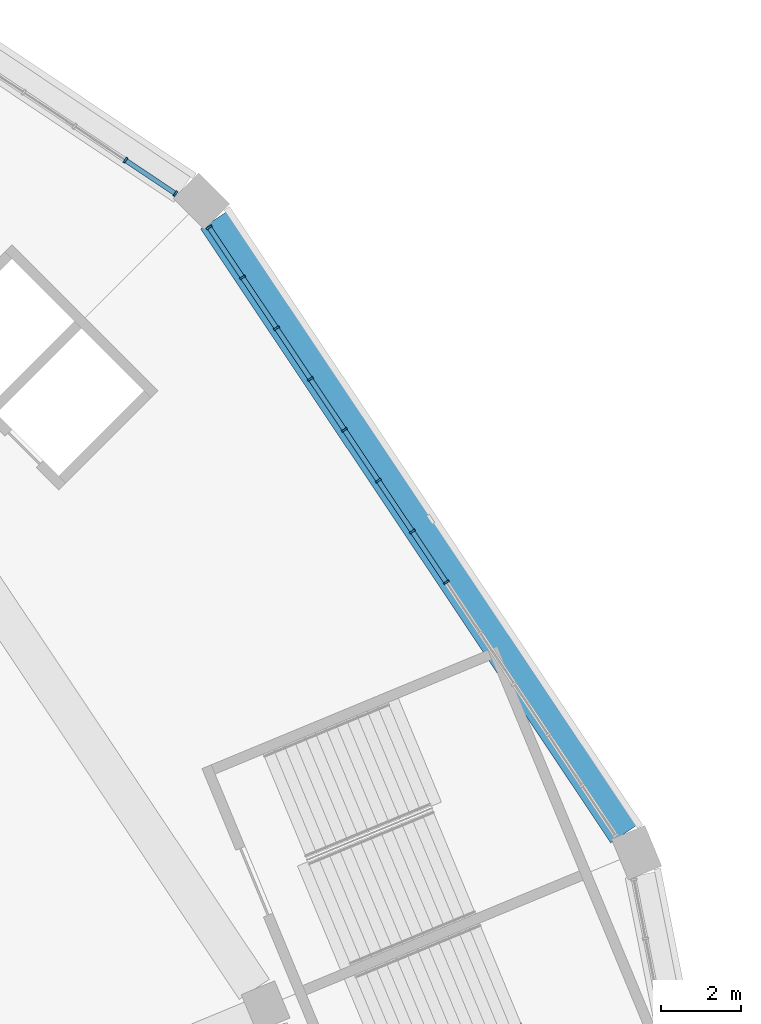
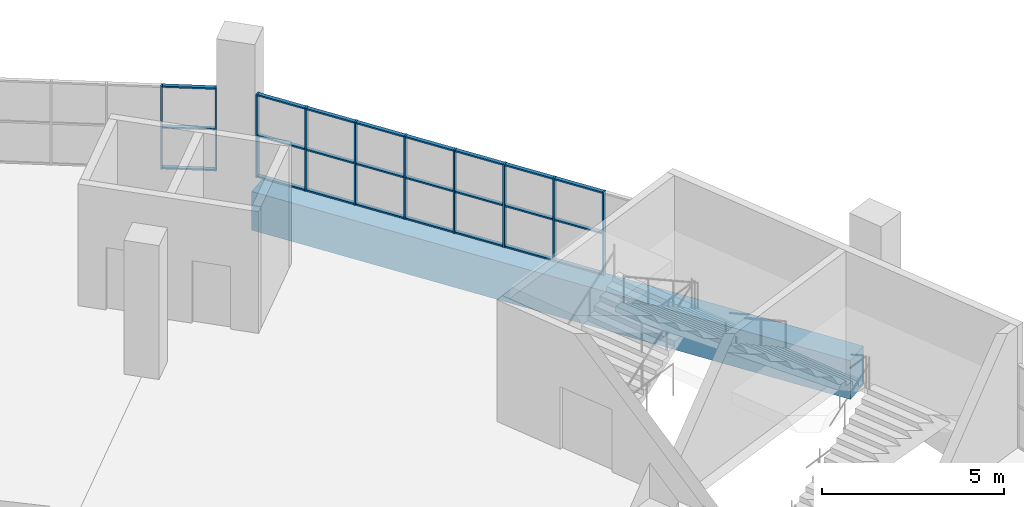
# One storey, part 51 of 199: 34 members, 1 beam, 2 elements without a shape of their own.
"""IFC4 building model written with IfcOpenShell, lengths in metres."""

import ifcopenshell
import ifcopenshell.guid

model = None  # the IFC model being written
_history = None  # IfcOwnerHistory: only IFC2X3 demands one
_inside = {}  # id of a spatial element -> (the spatial element, [elements in it])
_under = {}  # id of a project, library or spatial element -> (it, [spatial elements below it])
_declared = {}  # id of a project -> (the project, [libraries it declares])
_typed = {}  # id of a type object -> (the type object, [elements of that type])
_made_of = {}  # id of a material, layer set ... -> (it, [elements and type objects made of it])


def new_model(schema):
    """Start an empty IFC model of exactly this schema.

    Asked for "IFC4X3", IfcOpenShell would pick the latest addendum, in which some entities
    have other attributes; the version numbers below select the first issue.
    IFC2X3 requires an IfcOwnerHistory on every rooted entity: one is made here for all.
    """
    global model, _history
    if schema == "IFC4X3":
        model = ifcopenshell.file(schema_version=(4, 3, 0, 0))
    else:
        model = ifcopenshell.file(schema=schema)
    _inside.clear()
    _under.clear()
    _declared.clear()
    _typed.clear()
    _made_of.clear()
    _history = None
    if model.schema == "IFC2X3":
        org = make("IfcOrganization", Name="unknown")
        user = make(
            "IfcPersonAndOrganization",
            ThePerson=make("IfcPerson", FamilyName="unknown"),
            TheOrganization=org,
        )
        app = make(
            "IfcApplication",
            ApplicationDeveloper=org,
            Version="unknown",
            ApplicationFullName="unknown",
            ApplicationIdentifier="unknown",
        )
        _history = make(
            "IfcOwnerHistory",
            OwningUser=user,
            OwningApplication=app,
            ChangeAction="ADDED",
            CreationDate=0,
        )
    return model


def make(cls, **values):
    """One entity of the class cls with the attributes given. An attribute that is None is left unset."""
    return model.create_entity(
        cls, **{name: value for name, value in values.items() if value is not None}
    )


def rooted(cls, **values):
    """An entity with a GlobalId (a new one), such as an element, a storey or a relation."""
    return make(cls, GlobalId=ifcopenshell.guid.new(), OwnerHistory=_history, **values)


def si_unit(unit_type, name, prefix=None):
    """IfcSIUnit, for example si_unit("LENGTHUNIT", "METRE", prefix="MILLI")."""
    return make("IfcSIUnit", UnitType=unit_type, Prefix=prefix, Name=name)


def assignment(units):
    """IfcUnitAssignment: the units of a project."""
    return None if units is None else make("IfcUnitAssignment", Units=units)


def point(xyz):
    """IfcCartesianPoint."""
    return None if xyz is None else make("IfcCartesianPoint", Coordinates=xyz)


def direction(xyz):
    """IfcDirection."""
    return None if xyz is None else make("IfcDirection", DirectionRatios=xyz)


def frame(location, z_axis=None, x_axis=None):
    """IfcAxis2Placement3D, a coordinate frame: its origin and axes. An axis left out is left unset."""
    return make(
        "IfcAxis2Placement3D",
        Location=point(location),
        Axis=direction(z_axis),
        RefDirection=direction(x_axis),
    )


def frame_2d(location, x_axis=None):
    """IfcAxis2Placement2D, a coordinate frame in the plane: its origin and x axis."""
    return make(
        "IfcAxis2Placement2D", Location=point(location), RefDirection=direction(x_axis)
    )


def origin():
    """The frame at (0, 0, 0) with its axes left unset."""
    return frame((0.0, 0.0, 0.0))


def origin_2d():
    """The frame at (0, 0) in the plane with its x axis left unset."""
    return frame_2d((0.0, 0.0))


def place(relative_to, where):
    """IfcLocalPlacement: puts the frame where relative to a parent placement (None: the world)."""
    return make(
        "IfcLocalPlacement", PlacementRelTo=relative_to, RelativePlacement=where
    )


def context(
    kind, dimensions, precision=None, world=None, true_north=None, identifier=None
):
    """IfcGeometricRepresentationContext, for example the 3D "Model" context."""
    return make(
        "IfcGeometricRepresentationContext",
        ContextIdentifier=identifier,
        ContextType=kind,
        CoordinateSpaceDimension=dimensions,
        Precision=precision,
        WorldCoordinateSystem=world,
        TrueNorth=true_north,
    )


def subcontext(parent, identifier, kind, view, scale=None):
    """IfcGeometricRepresentationSubContext, for example "Body" below "Model"."""
    return make(
        "IfcGeometricRepresentationSubContext",
        ContextIdentifier=identifier,
        ContextType=kind,
        ParentContext=parent,
        TargetScale=scale,
        TargetView=view,
    )


def project(units=None, contexts=None):
    """IfcProject with its units and contexts."""
    return rooted(
        "IfcProject",
        Name="project",
        RepresentationContexts=contexts,
        UnitsInContext=assignment(units),
    )


def spatial(cls, under=None, at=None, **own):
    """A site, building, storey or space (cls), placed at a placement, below another one or the project."""
    s = rooted(cls, ObjectPlacement=at, **own)
    if under is not None:
        _under.setdefault(under.id(), (under, []))[1].append(s)
    return s


def profile(cls, at=None, kind="AREA", **sizes):
    """A parametric profile (cls). Its sizes go by their IFC names, for example OverallWidth=200.0."""
    return make(cls, ProfileType=kind, Position=at, **sizes)


def rectangle(**sizes):
    """IfcRectangleProfileDef."""
    return profile("IfcRectangleProfileDef", **sizes)


def extrude(swept, where, along, depth):
    """IfcExtrudedAreaSolid: the profile swept, set in the frame where, extruded along a direction by depth."""
    return make(
        "IfcExtrudedAreaSolid",
        SweptArea=swept,
        Position=where,
        ExtrudedDirection=direction(along),
        Depth=depth,
    )


def shape(context_of_items, identifier, shape_type, items):
    """IfcShapeRepresentation: the items that make up one representation, for example the "Body"."""
    return make(
        "IfcShapeRepresentation",
        ContextOfItems=context_of_items,
        RepresentationIdentifier=identifier,
        RepresentationType=shape_type,
        Items=items,
    )


def material(Name=None, Category=None):
    """IfcMaterial."""
    return make("IfcMaterial", Name=Name, Category=Category)


def material_profile(
    of_material, cross_section, Name=None, Category=None, Priority=None
):
    """IfcMaterialProfile: a cross section and its material."""
    return make(
        "IfcMaterialProfile",
        Name=Name,
        Material=of_material,
        Profile=cross_section,
        Priority=Priority,
        Category=Category,
    )


def profile_set(profiles, Name=None, composite=None):
    """IfcMaterialProfileSet."""
    return make(
        "IfcMaterialProfileSet",
        Name=Name,
        MaterialProfiles=profiles,
        CompositeProfile=composite,
    )


def made_of(thing, what):
    """Note that an element or type object is made of a material, layer set ...; save() writes the relation."""
    if what is not None:
        _made_of.setdefault(what.id(), (what, []))[1].append(thing)
    return thing


def type_object(cls, material=None, **own):
    """A type object (cls), such as IfcWallType, which elements share."""
    return made_of(rooted(cls, **own), material)


def element(
    cls,
    number,
    at=None,
    inside=None,
    cuts=None,
    type_object=None,
    material=None,
    context=None,
    identifier="Body",
    shape_type=None,
    held_by="IfcProductDefinitionShape",
    body=None,
    shapes=None,
    **own,
):
    """One element of the class cls, such as IfcWall. Its Tag is "e" and its number.

    at: its placement. inside: the storey or other place that contains it. cuts: it is an
    opening in that element (IfcRelVoidsElement). A single representation is given by context,
    identifier, shape_type and body (its items); several are given by shapes. held_by: the class
    of the entity that holds the representations. save() writes the other relations.
    """
    e = rooted(cls, Tag="e%d" % number, ObjectPlacement=at, **own)
    if body is not None:
        shapes = [shape(context, identifier, shape_type, body)]
    if shapes is not None:
        e.Representation = make(held_by, Representations=shapes)
    if inside is not None:
        _inside.setdefault(inside.id(), (inside, []))[1].append(e)
    if cuts is not None:
        rooted(
            "IfcRelVoidsElement", RelatingBuildingElement=cuts, RelatedOpeningElement=e
        )
    if type_object is not None:
        _typed.setdefault(type_object.id(), (type_object, []))[1].append(e)
    return made_of(e, material)


def aggregate(whole, parts):
    """IfcRelAggregates: a whole, such as a stair, and the parts it consists of."""
    return rooted("IfcRelAggregates", RelatingObject=whole, RelatedObjects=parts)


def save(model, path):
    """Write the relations noted so far, then the file.

    IfcRelAggregates (storeys below a building ...), IfcRelContainedInSpatialStructure (elements
    in a storey), IfcRelDefinesByType, IfcRelAssociatesMaterial and IfcRelDeclares: one each for
    every whole, place, type object, material and project.
    """
    for whole, parts in _under.values():
        aggregate(whole, parts)
    for where, things in _inside.values():
        rooted(
            "IfcRelContainedInSpatialStructure",
            RelatedElements=things,
            RelatingStructure=where,
        )
    for kind, things in _typed.values():
        rooted("IfcRelDefinesByType", RelatedObjects=things, RelatingType=kind)
    for what, things in _made_of.values():
        rooted("IfcRelAssociatesMaterial", RelatedObjects=things, RelatingMaterial=what)
    for by, libraries in _declared.values():
        rooted("IfcRelDeclares", RelatingContext=by, RelatedDefinitions=libraries)
    model.write(path)


model = new_model("IFC4")

# Units and contexts
model_context = context("Model", 3, precision=1e-05, world=origin(), true_north=direction((0.0, 1.0)))
body_context = subcontext(model_context, "Body", "Model", "MODEL_VIEW")
ifc_project = project(units=[si_unit("LENGTHUNIT", "METRE"), si_unit("AREAUNIT", "SQUARE_METRE"), si_unit("VOLUMEUNIT", "CUBIC_METRE"), si_unit("PLANEANGLEUNIT", "RADIAN"), si_unit("MASSUNIT", "GRAM", prefix="KILO")], contexts=[model_context])

# Site, building, storey
site_placement = place(None, origin())
site = spatial("IfcSite", under=ifc_project, at=site_placement, CompositionType="ELEMENT")
building_placement = place(site_placement, origin())
building = spatial("IfcBuilding", under=site, at=building_placement, Name="Ogive Plaza Stadium", CompositionType="ELEMENT")
storey_placement = place(building_placement, frame((0.0, 0.0, 9.0)))
storey = spatial("IfcBuildingStorey", under=building, at=storey_placement, Name="L02", CompositionType="ELEMENT", Elevation=9.0)

# Curtain wall, members
ifc_material_1 = material(Name="Bronze-anodised aluminium with laminated glass", Category="aluminium")
curtain_wall_type = type_object("IfcCurtainWallType", Name="Lancet curtain wall", PredefinedType="NOTDEFINED", material=ifc_material_1)
curtain_wall_1_placement = place(storey_placement, origin())
curtain_wall_1 = element("IfcCurtainWall", 1, at=curtain_wall_1_placement, inside=storey, type_object=curtain_wall_type, Name="CURTAIN WALL B38 L02", PredefinedType="NOTDEFINED")
ifc_material_2 = material(Name="Bronze-anodised aluminium", Category="aluminium")
ifc_material_profile_1 = material_profile(ifc_material_2, rectangle(XDim=0.14990234375, YDim=0.050048828125, at=origin_2d()), Name="AL 150x50")
ifc_profile_set_1 = profile_set([ifc_material_profile_1], Name="Bronze-anodised aluminium")
member_type_1 = type_object("IfcMemberType", Name="Curtain wall mullion 50x150", PredefinedType="MULLION", material=ifc_profile_set_1)
member_1_placement = place(storey_placement, frame((67.462646484375, 88.879638671875, 0.0), z_axis=(0.0, 0.0, 1.0), x_axis=(0.55557023302, 0.831469612303, 0.0)))
member_1 = element("IfcMember", 2, at=member_1_placement, type_object=member_type_1, Name="CW-B38-L02 mullion 12", PredefinedType="MULLION", context=body_context, shape_type="SweptSolid", body=[
    extrude(rectangle(XDim=0.14990234375, YDim=0.050048828125, at=origin_2d()), origin(), (0.0, 0.0, 1.0), 2.7900390625),
])
member_2_placement = place(storey_placement, frame((68.70751953125, 88.047607421875, 0.0), z_axis=(0.0, 0.0, 1.0), x_axis=(0.55557023302, 0.831469612303, 0.0)))
member_2 = element("IfcMember", 3, at=member_2_placement, type_object=member_type_1, Name="CW-B38-L02 mullion 13", PredefinedType="MULLION", context=body_context, shape_type="SweptSolid", body=[
    extrude(rectangle(XDim=0.14990234375, YDim=0.050048828125, at=origin_2d()), origin(), (0.0, 0.0, 1.0), 2.7900390625),
])

curtain_wall_2_placement = place(storey_placement, origin())
curtain_wall_2 = element("IfcCurtainWall", 4, at=curtain_wall_2_placement, inside=storey, type_object=curtain_wall_type, Name="CURTAIN WALL B39 L02", PredefinedType="NOTDEFINED")
member_3_placement = place(storey_placement, frame((69.547607421875, 87.20751953125, 0.0), z_axis=(0.0, 0.0, 1.0), x_axis=(0.831469612303, 0.55557023302, 0.0)))
member_3 = element("IfcMember", 5, at=member_3_placement, type_object=member_type_1, Name="CW-B39-L02 mullion 1", PredefinedType="MULLION", context=body_context, shape_type="SweptSolid", body=[
    extrude(rectangle(XDim=0.14990234375, YDim=0.050048828125, at=origin_2d()), origin(), (0.0, 0.0, 1.0), 2.7900390625),
])
member_4_placement = place(storey_placement, frame((70.379638671875, 85.962646484375, 0.0), z_axis=(0.0, 0.0, 1.0), x_axis=(0.831469612303, 0.55557023302, 0.0)))
member_4 = element("IfcMember", 6, at=member_4_placement, type_object=member_type_1, Name="CW-B39-L02 mullion 2", PredefinedType="MULLION", context=body_context, shape_type="SweptSolid", body=[
    extrude(rectangle(XDim=0.14990234375, YDim=0.050048828125, at=origin_2d()), origin(), (0.0, 0.0, 1.0), 2.7900390625),
])
member_5_placement = place(storey_placement, frame((71.225341796875, 84.69677734375, 0.0), z_axis=(0.0, 0.0, 1.0), x_axis=(0.831469612303, 0.55557023302, 0.0)))
member_5 = element("IfcMember", 7, at=member_5_placement, type_object=member_type_1, Name="CW-B39-L02 mullion 3", PredefinedType="MULLION", context=body_context, shape_type="SweptSolid", body=[
    extrude(rectangle(XDim=0.14990234375, YDim=0.050048828125, at=origin_2d()), origin(), (0.0, 0.0, 1.0), 2.7900390625),
])
member_6_placement = place(storey_placement, frame((72.071044921875, 83.430908203125, 0.0), z_axis=(0.0, 0.0, 1.0), x_axis=(0.831469612303, 0.55557023302, 0.0)))
member_6 = element("IfcMember", 8, at=member_6_placement, type_object=member_type_1, Name="CW-B39-L02 mullion 4", PredefinedType="MULLION", context=body_context, shape_type="SweptSolid", body=[
    extrude(rectangle(XDim=0.14990234375, YDim=0.050048828125, at=origin_2d()), origin(), (0.0, 0.0, 1.0), 2.7900390625),
])
member_7_placement = place(storey_placement, frame((72.916748046875, 82.165283203125, 0.0), z_axis=(0.0, 0.0, 1.0), x_axis=(0.831469612303, 0.55557023302, 0.0)))
member_7 = element("IfcMember", 9, at=member_7_placement, type_object=member_type_1, Name="CW-B39-L02 mullion 5", PredefinedType="MULLION", context=body_context, shape_type="SweptSolid", body=[
    extrude(rectangle(XDim=0.14990234375, YDim=0.050048828125, at=origin_2d()), origin(), (0.0, 0.0, 1.0), 2.7900390625),
])
member_8_placement = place(storey_placement, frame((73.7626953125, 80.8994140625, 0.0), z_axis=(0.0, 0.0, 1.0), x_axis=(0.831469612303, 0.55557023302, 0.0)))
member_8 = element("IfcMember", 10, at=member_8_placement, type_object=member_type_1, Name="CW-B39-L02 mullion 6", PredefinedType="MULLION", context=body_context, shape_type="SweptSolid", body=[
    extrude(rectangle(XDim=0.14990234375, YDim=0.050048828125, at=origin_2d()), origin(), (0.0, 0.0, 1.0), 2.7900390625),
])
member_9_placement = place(storey_placement, frame((74.6083984375, 79.633544921875, 0.0), z_axis=(0.0, 0.0, 1.0), x_axis=(0.831469612303, 0.55557023302, 0.0)))
member_9 = element("IfcMember", 11, at=member_9_placement, type_object=member_type_1, Name="CW-B39-L02 mullion 7", PredefinedType="MULLION", context=body_context, shape_type="SweptSolid", body=[
    extrude(rectangle(XDim=0.14990234375, YDim=0.050048828125, at=origin_2d()), origin(), (0.0, 0.0, 1.0), 2.7900390625),
])
member_10_placement = place(storey_placement, frame((75.4541015625, 78.367919921875, 0.0), z_axis=(0.0, 0.0, 1.0), x_axis=(0.831469612303, 0.55557023302, 0.0)))
member_10 = element("IfcMember", 12, at=member_10_placement, type_object=member_type_1, Name="CW-B39-L02 mullion 8", PredefinedType="MULLION", context=body_context, shape_type="SweptSolid", body=[
    extrude(rectangle(XDim=0.14990234375, YDim=0.050048828125, at=origin_2d()), origin(), (0.0, 0.0, 1.0), 2.7900390625),
])

# Member
ifc_material_3 = material(Name="Bronze-anodised aluminium", Category="aluminium")
ifc_material_profile_2 = material_profile(ifc_material_3, rectangle(XDim=0.1201171875, YDim=0.050048828125, at=origin_2d()), Name="AL 120x50")
ifc_profile_set_2 = profile_set([ifc_material_profile_2], Name="Bronze-anodised aluminium")
member_type_2 = type_object("IfcMemberType", Name="Curtain wall transom 50x120", PredefinedType="USERDEFINED", material=ifc_profile_set_2)
member_11_placement = place(storey_placement, frame((67.4833984375, 88.86572265625, 0.02490234375), z_axis=(0.831426948977, -0.555634077892, 0.0), x_axis=(0.555634077892, 0.831426948977, 0.0)))
member_11 = element("IfcMember", 13, at=member_11_placement, type_object=member_type_2, Name="CW-B38-L02 transom 12.1", ObjectType="TRANSOM", PredefinedType="USERDEFINED", context=body_context, shape_type="SweptSolid", body=[
    extrude(rectangle(XDim=0.1201171875, YDim=0.050048828125, at=origin_2d()), origin(), (0.0, 0.0, 1.0), 1.447265625),
])

member_12_placement = place(storey_placement, frame((67.4833984375, 88.86572265625, 1.39501953125), z_axis=(0.831426948977, -0.555634077892, 0.0), x_axis=(0.555634077892, 0.831426948977, 0.0)))
member_12 = element("IfcMember", 14, at=member_12_placement, type_object=member_type_2, Name="CW-B38-L02 transom 12.2", ObjectType="TRANSOM", PredefinedType="USERDEFINED", context=body_context, shape_type="SweptSolid", body=[
    extrude(rectangle(XDim=0.1201171875, YDim=0.050048828125, at=origin_2d()), origin(), (0.0, 0.0, 1.0), 1.447265625),
])

member_13_placement = place(storey_placement, frame((67.4833984375, 88.86572265625, 2.764892578125), z_axis=(0.831426948977, -0.555634077892, 0.0), x_axis=(0.555634077892, 0.831426948977, 0.0)))
member_13 = element("IfcMember", 15, at=member_13_placement, type_object=member_type_2, Name="CW-B38-L02 transom 12.3", ObjectType="TRANSOM", PredefinedType="USERDEFINED", context=body_context, shape_type="SweptSolid", body=[
    extrude(rectangle(XDim=0.1201171875, YDim=0.050048828125, at=origin_2d()), origin(), (0.0, 0.0, 1.0), 1.447265625),
])

aggregate(curtain_wall_1, [member_1, member_2, member_11, member_12, member_13])

member_14_placement = place(storey_placement, frame((69.5615234375, 87.186767578125, 0.02490234375), z_axis=(0.555634077892, -0.831426948977, 0.0), x_axis=(0.831426948977, 0.555634077892, 0.0)))
member_14 = element("IfcMember", 16, at=member_14_placement, type_object=member_type_2, Name="CW-B39-L02 transom 1.1", ObjectType="TRANSOM", PredefinedType="USERDEFINED", context=body_context, shape_type="SweptSolid", body=[
    extrude(rectangle(XDim=0.1201171875, YDim=0.050048828125, at=origin_2d()), origin(), (0.0, 0.0, 1.0), 1.447265625),
])

member_15_placement = place(storey_placement, frame((69.5615234375, 87.186767578125, 1.39501953125), z_axis=(0.555634077892, -0.831426948977, 0.0), x_axis=(0.831426948977, 0.555634077892, 0.0)))
member_15 = element("IfcMember", 17, at=member_15_placement, type_object=member_type_2, Name="CW-B39-L02 transom 1.2", ObjectType="TRANSOM", PredefinedType="USERDEFINED", context=body_context, shape_type="SweptSolid", body=[
    extrude(rectangle(XDim=0.1201171875, YDim=0.050048828125, at=origin_2d()), origin(), (0.0, 0.0, 1.0), 1.447265625),
])

member_16_placement = place(storey_placement, frame((69.5615234375, 87.186767578125, 2.764892578125), z_axis=(0.555634077892, -0.831426948977, 0.0), x_axis=(0.831426948977, 0.555634077892, 0.0)))
member_16 = element("IfcMember", 18, at=member_16_placement, type_object=member_type_2, Name="CW-B39-L02 transom 1.3", ObjectType="TRANSOM", PredefinedType="USERDEFINED", context=body_context, shape_type="SweptSolid", body=[
    extrude(rectangle(XDim=0.1201171875, YDim=0.050048828125, at=origin_2d()), origin(), (0.0, 0.0, 1.0), 1.447265625),
])

member_17_placement = place(storey_placement, frame((70.393310546875, 85.941650390625, 0.02490234375), z_axis=(0.555656472512, -0.831411982446, 0.0), x_axis=(0.831411982446, 0.555656472512, 0.0)))
member_17 = element("IfcMember", 19, at=member_17_placement, type_object=member_type_2, Name="CW-B39-L02 transom 2.1", ObjectType="TRANSOM", PredefinedType="USERDEFINED", context=body_context, shape_type="SweptSolid", body=[
    extrude(rectangle(XDim=0.1201171875, YDim=0.050048828125, at=origin_2d()), origin(), (0.0, 0.0, 1.0), 1.472412109375),
])

member_18_placement = place(storey_placement, frame((70.393310546875, 85.941650390625, 1.39501953125), z_axis=(0.555656472512, -0.831411982446, 0.0), x_axis=(0.831411982446, 0.555656472512, 0.0)))
member_18 = element("IfcMember", 20, at=member_18_placement, type_object=member_type_2, Name="CW-B39-L02 transom 2.2", ObjectType="TRANSOM", PredefinedType="USERDEFINED", context=body_context, shape_type="SweptSolid", body=[
    extrude(rectangle(XDim=0.1201171875, YDim=0.050048828125, at=origin_2d()), origin(), (0.0, 0.0, 1.0), 1.472412109375),
])

member_19_placement = place(storey_placement, frame((70.393310546875, 85.941650390625, 2.764892578125), z_axis=(0.555656472512, -0.831411982446, 0.0), x_axis=(0.831411982446, 0.555656472512, 0.0)))
member_19 = element("IfcMember", 21, at=member_19_placement, type_object=member_type_2, Name="CW-B39-L02 transom 2.3", ObjectType="TRANSOM", PredefinedType="USERDEFINED", context=body_context, shape_type="SweptSolid", body=[
    extrude(rectangle(XDim=0.1201171875, YDim=0.050048828125, at=origin_2d()), origin(), (0.0, 0.0, 1.0), 1.472412109375),
])

member_20_placement = place(storey_placement, frame((71.2392578125, 84.676025390625, 0.02490234375), z_axis=(0.555465240925, -0.83153975619, 0.0), x_axis=(0.83153975619, 0.555465240925, 0.0)))
member_20 = element("IfcMember", 22, at=member_20_placement, type_object=member_type_2, Name="CW-B39-L02 transom 3.1", ObjectType="TRANSOM", PredefinedType="USERDEFINED", context=body_context, shape_type="SweptSolid", body=[
    extrude(rectangle(XDim=0.1201171875, YDim=0.050048828125, at=origin_2d()), origin(), (0.0, 0.0, 1.0), 1.472412109375),
])

member_21_placement = place(storey_placement, frame((71.2392578125, 84.676025390625, 1.39501953125), z_axis=(0.555465240925, -0.83153975619, 0.0), x_axis=(0.83153975619, 0.555465240925, 0.0)))
member_21 = element("IfcMember", 23, at=member_21_placement, type_object=member_type_2, Name="CW-B39-L02 transom 3.2", ObjectType="TRANSOM", PredefinedType="USERDEFINED", context=body_context, shape_type="SweptSolid", body=[
    extrude(rectangle(XDim=0.1201171875, YDim=0.050048828125, at=origin_2d()), origin(), (0.0, 0.0, 1.0), 1.472412109375),
])

member_22_placement = place(storey_placement, frame((71.2392578125, 84.676025390625, 2.764892578125), z_axis=(0.555465240925, -0.83153975619, 0.0), x_axis=(0.83153975619, 0.555465240925, 0.0)))
member_22 = element("IfcMember", 24, at=member_22_placement, type_object=member_type_2, Name="CW-B39-L02 transom 3.3", ObjectType="TRANSOM", PredefinedType="USERDEFINED", context=body_context, shape_type="SweptSolid", body=[
    extrude(rectangle(XDim=0.1201171875, YDim=0.050048828125, at=origin_2d()), origin(), (0.0, 0.0, 1.0), 1.472412109375),
])

member_23_placement = place(storey_placement, frame((72.0849609375, 83.41015625, 0.02490234375), z_axis=(0.555541835587, -0.831488586159, 0.0), x_axis=(0.831488586159, 0.555541835587, 0.0)))
member_23 = element("IfcMember", 25, at=member_23_placement, type_object=member_type_2, Name="CW-B39-L02 transom 4.1", ObjectType="TRANSOM", PredefinedType="USERDEFINED", context=body_context, shape_type="SweptSolid", body=[
    extrude(rectangle(XDim=0.1201171875, YDim=0.050048828125, at=origin_2d()), origin(), (0.0, 0.0, 1.0), 1.47216796875),
])

member_24_placement = place(storey_placement, frame((72.0849609375, 83.41015625, 1.39501953125), z_axis=(0.555541835587, -0.831488586159, 0.0), x_axis=(0.831488586159, 0.555541835587, 0.0)))
member_24 = element("IfcMember", 26, at=member_24_placement, type_object=member_type_2, Name="CW-B39-L02 transom 4.2", ObjectType="TRANSOM", PredefinedType="USERDEFINED", context=body_context, shape_type="SweptSolid", body=[
    extrude(rectangle(XDim=0.1201171875, YDim=0.050048828125, at=origin_2d()), origin(), (0.0, 0.0, 1.0), 1.47216796875),
])

member_25_placement = place(storey_placement, frame((72.0849609375, 83.41015625, 2.764892578125), z_axis=(0.555541835587, -0.831488586159, 0.0), x_axis=(0.831488586159, 0.555541835587, 0.0)))
member_25 = element("IfcMember", 27, at=member_25_placement, type_object=member_type_2, Name="CW-B39-L02 transom 4.3", ObjectType="TRANSOM", PredefinedType="USERDEFINED", context=body_context, shape_type="SweptSolid", body=[
    extrude(rectangle(XDim=0.1201171875, YDim=0.050048828125, at=origin_2d()), origin(), (0.0, 0.0, 1.0), 1.47216796875),
])

member_26_placement = place(storey_placement, frame((72.9306640625, 82.14453125, 0.02490234375), z_axis=(0.555579876157, -0.831463168883, 0.0), x_axis=(0.831463168883, 0.555579876157, 0.0)))
member_26 = element("IfcMember", 28, at=member_26_placement, type_object=member_type_2, Name="CW-B39-L02 transom 5.1", ObjectType="TRANSOM", PredefinedType="USERDEFINED", context=body_context, shape_type="SweptSolid", body=[
    extrude(rectangle(XDim=0.1201171875, YDim=0.050048828125, at=origin_2d()), origin(), (0.0, 0.0, 1.0), 1.47265625),
])

member_27_placement = place(storey_placement, frame((72.9306640625, 82.14453125, 1.39501953125), z_axis=(0.555579876157, -0.831463168883, 0.0), x_axis=(0.831463168883, 0.555579876157, 0.0)))
member_27 = element("IfcMember", 29, at=member_27_placement, type_object=member_type_2, Name="CW-B39-L02 transom 5.2", ObjectType="TRANSOM", PredefinedType="USERDEFINED", context=body_context, shape_type="SweptSolid", body=[
    extrude(rectangle(XDim=0.1201171875, YDim=0.050048828125, at=origin_2d()), origin(), (0.0, 0.0, 1.0), 1.47265625),
])

member_28_placement = place(storey_placement, frame((72.9306640625, 82.14453125, 2.764892578125), z_axis=(0.555579876157, -0.831463168883, 0.0), x_axis=(0.831463168883, 0.555579876157, 0.0)))
member_28 = element("IfcMember", 30, at=member_28_placement, type_object=member_type_2, Name="CW-B39-L02 transom 5.3", ObjectType="TRANSOM", PredefinedType="USERDEFINED", context=body_context, shape_type="SweptSolid", body=[
    extrude(rectangle(XDim=0.1201171875, YDim=0.050048828125, at=origin_2d()), origin(), (0.0, 0.0, 1.0), 1.47265625),
])

member_29_placement = place(storey_placement, frame((73.7763671875, 80.878662109375, 0.02490234375), z_axis=(0.555656472512, -0.831411982446, 0.0), x_axis=(0.831411982446, 0.555656472512, 0.0)))
member_29 = element("IfcMember", 31, at=member_29_placement, type_object=member_type_2, Name="CW-B39-L02 transom 6.1", ObjectType="TRANSOM", PredefinedType="USERDEFINED", context=body_context, shape_type="SweptSolid", body=[
    extrude(rectangle(XDim=0.1201171875, YDim=0.050048828125, at=origin_2d()), origin(), (0.0, 0.0, 1.0), 1.472412109375),
])

member_30_placement = place(storey_placement, frame((73.7763671875, 80.878662109375, 1.39501953125), z_axis=(0.555656472512, -0.831411982446, 0.0), x_axis=(0.831411982446, 0.555656472512, 0.0)))
member_30 = element("IfcMember", 32, at=member_30_placement, type_object=member_type_2, Name="CW-B39-L02 transom 6.2", ObjectType="TRANSOM", PredefinedType="USERDEFINED", context=body_context, shape_type="SweptSolid", body=[
    extrude(rectangle(XDim=0.1201171875, YDim=0.050048828125, at=origin_2d()), origin(), (0.0, 0.0, 1.0), 1.472412109375),
])

member_31_placement = place(storey_placement, frame((73.7763671875, 80.878662109375, 2.764892578125), z_axis=(0.555656472512, -0.831411982446, 0.0), x_axis=(0.831411982446, 0.555656472512, 0.0)))
member_31 = element("IfcMember", 33, at=member_31_placement, type_object=member_type_2, Name="CW-B39-L02 transom 6.3", ObjectType="TRANSOM", PredefinedType="USERDEFINED", context=body_context, shape_type="SweptSolid", body=[
    extrude(rectangle(XDim=0.1201171875, YDim=0.050048828125, at=origin_2d()), origin(), (0.0, 0.0, 1.0), 1.472412109375),
])

member_32_placement = place(storey_placement, frame((74.622314453125, 79.61279296875, 0.02490234375), z_axis=(0.555541835587, -0.831488586159, 0.0), x_axis=(0.831488586159, 0.555541835587, 0.0)))
member_32 = element("IfcMember", 34, at=member_32_placement, type_object=member_type_2, Name="CW-B39-L02 transom 7.1", ObjectType="TRANSOM", PredefinedType="USERDEFINED", context=body_context, shape_type="SweptSolid", body=[
    extrude(rectangle(XDim=0.1201171875, YDim=0.050048828125, at=origin_2d()), origin(), (0.0, 0.0, 1.0), 1.47216796875),
])

member_33_placement = place(storey_placement, frame((74.622314453125, 79.61279296875, 1.39501953125), z_axis=(0.555541835587, -0.831488586159, 0.0), x_axis=(0.831488586159, 0.555541835587, 0.0)))
member_33 = element("IfcMember", 35, at=member_33_placement, type_object=member_type_2, Name="CW-B39-L02 transom 7.2", ObjectType="TRANSOM", PredefinedType="USERDEFINED", context=body_context, shape_type="SweptSolid", body=[
    extrude(rectangle(XDim=0.1201171875, YDim=0.050048828125, at=origin_2d()), origin(), (0.0, 0.0, 1.0), 1.47216796875),
])

member_34_placement = place(storey_placement, frame((74.622314453125, 79.61279296875, 2.764892578125), z_axis=(0.555541835587, -0.831488586159, 0.0), x_axis=(0.831488586159, 0.555541835587, 0.0)))
member_34 = element("IfcMember", 36, at=member_34_placement, type_object=member_type_2, Name="CW-B39-L02 transom 7.3", ObjectType="TRANSOM", PredefinedType="USERDEFINED", context=body_context, shape_type="SweptSolid", body=[
    extrude(rectangle(XDim=0.1201171875, YDim=0.050048828125, at=origin_2d()), origin(), (0.0, 0.0, 1.0), 1.47216796875),
])

aggregate(curtain_wall_2, [member_3, member_4, member_5, member_6, member_7, member_8, member_9, member_10, member_14, member_15, member_16, member_17, member_18, member_19, member_20, member_21, member_22, member_23, member_24, member_25, member_26, member_27, member_28, member_29, member_30, member_31, member_32, member_33, member_34])

# Beam
ifc_material_4 = material(Name="Concrete C40/50", Category="concrete")
ifc_material_profile_3 = material_profile(ifc_material_4, rectangle(XDim=0.800048828125, YDim=1.300048828125, at=origin_2d()), Name="RC 800x1300")
ifc_profile_set_3 = profile_set([ifc_material_profile_3], Name="Concrete C40/50")
beam_type = type_object("IfcBeamType", Name="RC spandrel beam 800x1300", PredefinedType="SPANDREL", material=ifc_profile_set_3)
beam_placement = place(storey_placement, frame((69.6669921875, 87.38916015625, -1.06005859375), z_axis=(0.555557833169, -0.831477897484, 0.0), x_axis=(0.831477897484, 0.555557833169, 0.0)))
element("IfcBeam", 37, at=beam_placement, inside=storey, type_object=beam_type, Name="Ring beam F5 L02 B39", PredefinedType="SPANDREL", context=body_context, shape_type="SweptSolid", body=[
    extrude(rectangle(XDim=0.800048828125, YDim=1.300048828125, at=origin_2d()), origin(), (0.0, 0.0, 1.0), 18.387451171875),
])

save(model, "model.ifc")
